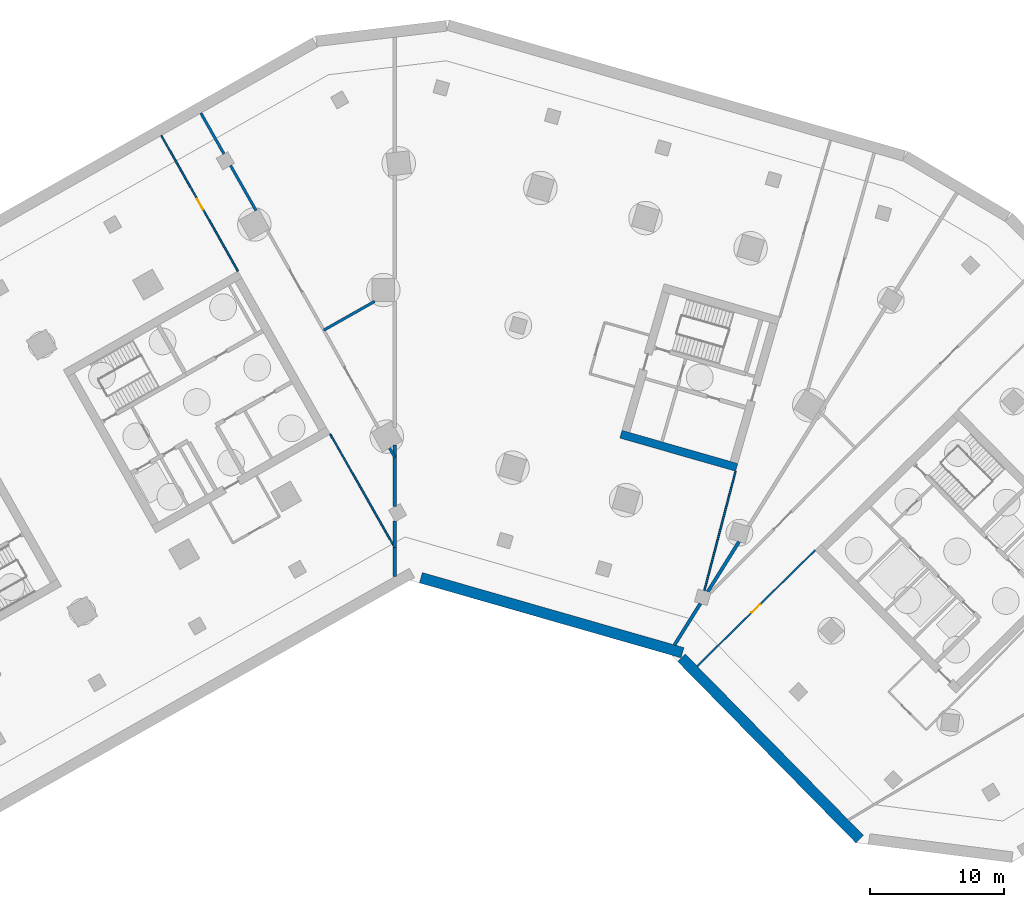
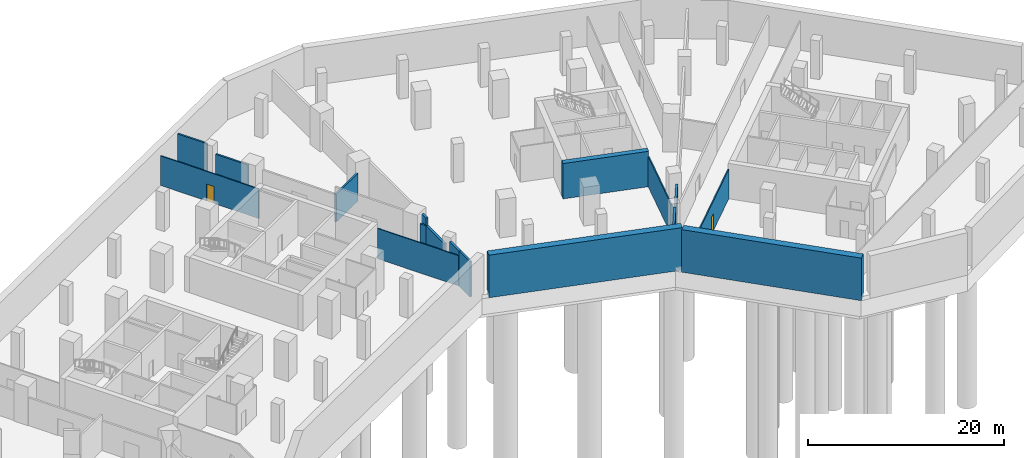
# One storey, part 5 of 11: 17 walls, 2 doors, 2 openings.
"""IFC4 building model written with IfcOpenShell, lengths in metres."""

from ifc_helpers import new_model, si_unit, direction, frame, frame_2d, origin, place, context, subcontext, project, spatial, rectangle, extrude, material, layer, layer_set, type_object, element, fill, save


model = new_model("IFC4")

# Units and contexts
model_context = context("Model", 3, precision=1e-05, world=origin(), true_north=direction((0.0, 1.0)))
body_context = subcontext(model_context, "Body", "Model", "MODEL_VIEW")
ifc_project = project(units=[si_unit("LENGTHUNIT", "METRE"), si_unit("AREAUNIT", "SQUARE_METRE"), si_unit("VOLUMEUNIT", "CUBIC_METRE"), si_unit("PLANEANGLEUNIT", "RADIAN"), si_unit("MASSUNIT", "GRAM", prefix="KILO")], contexts=[model_context])

# Site, building, storey
site_placement = place(None, origin())
site = spatial("IfcSite", under=ifc_project, at=site_placement, CompositionType="ELEMENT")
building_placement = place(site_placement, origin())
building = spatial("IfcBuilding", under=site, at=building_placement, Name="Binnacle Exchange Tower", CompositionType="ELEMENT")
storey_placement = place(building_placement, frame((0.0, 0.0, -9.60009765625)))
storey = spatial("IfcBuildingStorey", under=building, at=storey_placement, Name="B2", CompositionType="ELEMENT", Elevation=-9.60009765625)

# Walls
ifc_material_1 = material(Name="Concrete C40/50", Category="concrete")
ifc_layer_1 = layer(ifc_material_1, 0.800048828125)
ifc_layer_set_1 = layer_set([ifc_layer_1], Name="Basement retaining wall 800 Concrete C40/50")
wall_type_1 = type_object("IfcWallType", Name="Basement retaining wall 800 Concrete C40/50", PredefinedType="SOLIDWALL", material=ifc_layer_set_1)
wall_1_placement = place(storey_placement, frame((1.961181640625, 38.4912109375, -0.5), z_axis=(0.0, 0.0, 1.0), x_axis=(0.961261264877, -0.275638859104, 0.0)))
element("IfcWall", 1, at=wall_1_placement, inside=storey, type_object=wall_type_1, Name="S:RW:B2:09", PredefinedType="SOLIDWALL", context=body_context, shape_type="SweptSolid", body=[
    extrude(rectangle(XDim=20.3408203125, YDim=0.800048828125, at=frame_2d((10.17041015625, 0.0))), origin(), (0.0, 0.0, 1.0), 5.300048828125),
])
wall_2_placement = place(storey_placement, frame((21.432373046875, 32.5107421875, -0.5), z_axis=(0.0, 0.0, 1.0), x_axis=(0.700906850363, -0.713252821315, 0.0)))
element("IfcWall", 2, at=wall_2_placement, inside=storey, type_object=wall_type_1, Name="S:RW:B2:10", PredefinedType="SOLIDWALL", context=body_context, shape_type="SweptSolid", body=[
    extrude(rectangle(XDim=19.003662109375, YDim=0.800048828125, at=frame_2d((9.501953125, 0.0))), origin(), (0.0, 0.0, 1.0), 5.300048828125),
])
ifc_material_2 = material(Name="Concrete C70/85", Category="concrete")
ifc_layer_2 = layer(ifc_material_2, 0.60009765625)
ifc_layer_set_2 = layer_set([ifc_layer_2], Name="Core wall - outer 600")
wall_type_2 = type_object("IfcWallType", Name="Core wall - outer 600", PredefinedType="SOLIDWALL", material=ifc_layer_set_2)
wall_3_placement = place(storey_placement, frame((16.91064453125, 49.22119140625, 0.0), z_axis=(0.0, 0.0, 1.0), x_axis=(0.96126248289, -0.275634611374, 0.0)))
element("IfcWall", 3, at=wall_3_placement, inside=storey, type_object=wall_type_2, Name="Core wall CRWD1", PredefinedType="SOLIDWALL", context=body_context, shape_type="SweptSolid", body=[
    extrude(rectangle(XDim=9.0, YDim=0.60009765625, at=frame_2d((4.5, 0.0))), origin(), (0.0, 0.0, 1.0), 4.400146484375),
])
ifc_material_3 = material(Name="Masonry block wall", Category="masonry")
ifc_layer_3 = layer(ifc_material_3, 0.199951171875)
ifc_layer_set_3 = layer_set([ifc_layer_3], Name="Fire wall - block 200")
wall_type_3 = type_object("IfcWallType", Name="Fire wall - block 200", PredefinedType="PARTITIONING", material=ifc_layer_set_3)
wall_4_placement = place(storey_placement, frame((-14.489990234375, 73.22412109375, 0.0), z_axis=(0.0, 0.0, 1.0), x_axis=(0.492785561685, -0.870150785896, 0.0)))
element("IfcWall", 4, at=wall_4_placement, inside=storey, type_object=wall_type_3, Name="Partition W16", PredefinedType="PARTITIONING", context=body_context, shape_type="SweptSolid", body=[
    extrude(rectangle(XDim=3.500732421875, YDim=0.199951171875, at=frame_2d((1.75048828125, 0.0))), origin(), (0.0, 0.0, 1.0), 4.400146484375),
])
wall_5_placement = place(storey_placement, frame((-12.27197265625, 69.30810546875, 0.0), z_axis=(0.0, 0.0, 1.0), x_axis=(0.492928006212, -0.870070101022, 0.0)))
element("IfcWall", 5, at=wall_5_placement, inside=storey, type_object=wall_type_3, Name="Partition W18", PredefinedType="PARTITIONING", context=body_context, shape_type="SweptSolid", body=[
    extrude(rectangle(XDim=3.86083984375, YDim=0.199951171875, at=frame_2d((1.930419921875, 0.0))), origin(), (0.0, 0.0, 1.0), 3.462158203125),
])
wall_6_placement = place(storey_placement, frame((-5.301025390625, 57.0009765625, 0.0), z_axis=(0.0, 0.0, 1.0), x_axis=(0.870403402545, 0.492339229433, 0.0)))
element("IfcWall", 6, at=wall_6_placement, inside=storey, type_object=wall_type_3, Name="Partition W22", PredefinedType="PARTITIONING", context=body_context, shape_type="SweptSolid", body=[
    extrude(rectangle(XDim=4.36474609375, YDim=0.199951171875, at=frame_2d((2.182373046875, 0.0))), origin(), (0.0, 0.0, 1.0), 3.462158203125),
])
wall_7_placement = place(storey_placement, frame((-0.383056640625, 48.18603515625, 0.0), z_axis=(0.0, 0.0, 1.0), x_axis=(0.487514911941, -0.873114660646, 0.0)))
element("IfcWall", 7, at=wall_7_placement, inside=storey, type_object=wall_type_3, Name="Partition W25", PredefinedType="PARTITIONING", context=body_context, shape_type="SweptSolid", body=[
    extrude(rectangle(XDim=0.78564453125, YDim=0.199951171875, at=frame_2d((0.392822265625, 0.0))), origin(), (0.0, 0.0, 1.0), 3.462158203125),
])
ifc_material_4 = material(Name="Concrete fire wall C30/37", Category="concrete")
ifc_layer_4 = layer(ifc_material_4, 0.25)
ifc_layer_set_4 = layer_set([ifc_layer_4], Name="Fire wall - compartment 250")
wall_type_4 = type_object("IfcWallType", Name="Fire wall - compartment 250", PredefinedType="PARTITIONING", material=ifc_layer_set_4)
wall_8_placement = place(storey_placement, frame((0.0, 38.5791015625, 0.0), z_axis=(0.0, 0.0, 1.0), x_axis=(0.0, 1.0, 0.0)))
element("IfcWall", 8, at=wall_8_placement, inside=storey, type_object=wall_type_4, Name="Fire Wall W26", PredefinedType="PARTITIONING", context=body_context, shape_type="SweptSolid", body=[
    extrude(rectangle(XDim=2.1708984375, YDim=0.25, at=frame_2d((1.08544921875, 0.0))), origin(), (0.0, 0.0, 1.0), 4.400146484375),
])
wall_9_placement = place(storey_placement, frame((0.0, 40.75, 0.0), z_axis=(0.0, 0.0, 1.0), x_axis=(0.0, 1.0, 0.0)))
element("IfcWall", 9, at=wall_9_placement, inside=storey, type_object=wall_type_4, Name="Fire Wall W27", PredefinedType="PARTITIONING", context=body_context, shape_type="SweptSolid", body=[
    extrude(rectangle(XDim=1.97705078125, YDim=0.25, at=frame_2d((0.988525390625, 0.0))), origin(), (0.0, 0.0, 1.0), 4.400146484375),
])
wall_10_placement = place(storey_placement, frame((0.0, 43.805908203125, 0.0), z_axis=(0.0, 0.0, 1.0), x_axis=(0.0, 1.0, 0.0)))
element("IfcWall", 10, at=wall_10_placement, inside=storey, type_object=wall_type_4, Name="Fire Wall W28", PredefinedType="PARTITIONING", context=body_context, shape_type="SweptSolid", body=[
    extrude(rectangle(XDim=3.694091796875, YDim=0.25, at=frame_2d((1.84716796875, 0.0))), origin(), (0.0, 0.0, 1.0), 3.462158203125),
])
wall_11_placement = place(storey_placement, frame((0.0, 47.5, 0.0), z_axis=(0.0, 0.0, 1.0), x_axis=(0.0, 1.0, 0.0)))
element("IfcWall", 11, at=wall_11_placement, inside=storey, type_object=wall_type_4, Name="Fire Wall W29", PredefinedType="PARTITIONING", context=body_context, shape_type="SweptSolid", body=[
    extrude(rectangle(XDim=0.902099609375, YDim=0.25, at=frame_2d((0.451171875, 0.0))), origin(), (0.0, 0.0, 1.0), 4.400146484375),
])
wall_12_placement = place(storey_placement, frame((20.916015625, 33.471923828125, 0.0), z_axis=(0.0, 0.0, 1.0), x_axis=(0.529775918086, 0.848137651927, 0.0)))
element("IfcWall", 12, at=wall_12_placement, inside=storey, type_object=wall_type_4, Name="Fire Wall W36", PredefinedType="PARTITIONING", context=body_context, shape_type="SweptSolid", body=[
    extrude(rectangle(XDim=3.64111328125, YDim=0.25, at=frame_2d((1.820556640625, 0.0))), origin(), (0.0, 0.0, 1.0), 4.400146484375),
])
wall_13_placement = place(storey_placement, frame((23.39599609375, 37.44189453125, 0.0), z_axis=(0.0, 0.0, 1.0), x_axis=(0.529879823435, 0.848072740227, 0.0)))
element("IfcWall", 13, at=wall_13_placement, inside=storey, type_object=wall_type_4, Name="Fire Wall W39", PredefinedType="PARTITIONING", context=body_context, shape_type="SweptSolid", body=[
    extrude(rectangle(XDim=4.421875, YDim=0.25, at=frame_2d((2.2109375, 0.0))), origin(), (0.0, 0.0, 1.0), 3.462158203125),
])

# Wall, opening, door
ifc_material_5 = material(Name="Gypsum partition")
ifc_layer_5 = layer(ifc_material_5, 0.125)
ifc_layer_set_5 = layer_set([ifc_layer_5], Name="Partition 125")
wall_type_5 = type_object("IfcWallType", Name="Partition 125", PredefinedType="PARTITIONING", material=ifc_layer_set_5)
wall_14_placement = place(storey_placement, frame((-17.448974609375, 71.549072265625, 0.0), z_axis=(0.0, 0.0, 1.0), x_axis=(0.492408863594, -0.870364010661, 0.0)))
wall_14 = element("IfcWall", 14, at=wall_14_placement, inside=storey, type_object=wall_type_5, Name="Partition W15", PredefinedType="PARTITIONING", context=body_context, shape_type="SweptSolid", body=[
    extrude(rectangle(XDim=11.64453125, YDim=0.125, at=frame_2d((5.822265625, 0.0))), origin(), (0.0, 0.0, 1.0), 3.68017578125),
])
opening_1_placement = place(wall_14_placement, frame((5.449951171875, 0.0, 0.0)))
opening_1 = element("IfcOpeningElement", 15, at=opening_1_placement, cuts=wall_14, Name="Opening DB2-06", PredefinedType="OPENING", context=body_context, shape_type="SweptSolid", body=[
    extrude(rectangle(XDim=0.89990234375, YDim=2.10009765625, at=frame_2d((0.449951171875, 1.050048828125))), frame((0.0, 0.072509765625, 0.0), z_axis=(0.0, -1.0, 0.0), x_axis=(1.0, 0.0, 0.0)), (0.0, 0.0, 1.0), 0.14501953125),
])
ifc_material_6 = material(Name="Timber door leaf", Category="wood")
door_type = type_object("IfcDoorType", Name="Door 900", OperationType="NOTDEFINED", PredefinedType="DOOR", material=ifc_material_6)
door_1_placement = place(opening_1_placement, origin())
door_1 = element("IfcDoor", 16, at=door_1_placement, inside=storey, type_object=door_type, Name="Door DB2-06", OperationType="SINGLE_SWING_RIGHT", OverallHeight=2.10009765625, OverallWidth=0.89990234375, PredefinedType="DOOR", context=body_context, shape_type="SweptSolid", body=[
    extrude(rectangle(XDim=0.89990234375, YDim=2.10009765625, at=frame_2d((0.449951171875, 1.050048828125))), frame((0.0, 0.02490234375, 0.0), z_axis=(0.0, -1.0, 0.0), x_axis=(1.0, 0.0, 0.0)), (0.0, 0.0, 1.0), 0.050048828125),
])
fill(opening_1, door_1)

# Wall
wall_15_placement = place(storey_placement, frame((-4.821044921875, 49.22998046875, 0.0), z_axis=(0.0, 0.0, 1.0), x_axis=(0.494232133704, -0.869329970733, 0.0)))
element("IfcWall", 17, at=wall_15_placement, inside=storey, type_object=wall_type_5, Name="Partition W24", PredefinedType="PARTITIONING", context=body_context, shape_type="SweptSolid", body=[
    extrude(rectangle(XDim=9.754638671875, YDim=0.125, at=frame_2d((4.87744140625, 0.0))), origin(), (0.0, 0.0, 1.0), 3.76806640625),
])

# Wall, opening, door
wall_16_placement = place(storey_placement, frame((22.610107421875, 31.884033203125, 0.0), z_axis=(0.0, 0.0, 1.0), x_axis=(0.71329764845, 0.700861230712, 0.0)))
wall_16 = element("IfcWall", 18, at=wall_16_placement, inside=storey, type_object=wall_type_5, Name="Partition W37", PredefinedType="PARTITIONING", context=body_context, shape_type="SweptSolid", body=[
    extrude(rectangle(XDim=12.36767578125, YDim=0.125, at=frame_2d((6.183837890625, 0.0))), origin(), (0.0, 0.0, 1.0), 3.68017578125),
])
opening_2_placement = place(wall_16_placement, frame((5.699951171875, 0.0, 0.0)))
opening_2 = element("IfcOpeningElement", 19, at=opening_2_placement, cuts=wall_16, Name="Opening DB2-13", PredefinedType="OPENING", context=body_context, shape_type="SweptSolid", body=[
    extrude(rectangle(XDim=0.89990234375, YDim=2.10009765625, at=frame_2d((0.449951171875, 1.050048828125))), frame((0.0, 0.072509765625, 0.0), z_axis=(0.0, -1.0, 0.0), x_axis=(1.0, 0.0, 0.0)), (0.0, 0.0, 1.0), 0.14501953125),
])
door_2_placement = place(opening_2_placement, origin())
door_2 = element("IfcDoor", 20, at=door_2_placement, inside=storey, type_object=door_type, Name="Door DB2-13", OperationType="SINGLE_SWING_LEFT", OverallHeight=2.10009765625, OverallWidth=0.89990234375, PredefinedType="DOOR", context=body_context, shape_type="SweptSolid", body=[
    extrude(rectangle(XDim=0.89990234375, YDim=2.10009765625, at=frame_2d((0.449951171875, 1.050048828125))), frame((0.0, 0.02490234375, 0.0), z_axis=(0.0, -1.0, 0.0), x_axis=(1.0, 0.0, 0.0)), (0.0, 0.0, 1.0), 0.050048828125),
])
fill(opening_2, door_2)

# Wall
wall_17_placement = place(storey_placement, frame((23.138916015625, 37.51611328125, 0.0), z_axis=(0.0, 0.0, 1.0), x_axis=(0.253335246865, 0.967378546741, 0.0)))
element("IfcWall", 21, at=wall_17_placement, inside=storey, type_object=wall_type_5, Name="Partition W38", PredefinedType="PARTITIONING", context=body_context, shape_type="SweptSolid", body=[
    extrude(rectangle(XDim=9.237060546875, YDim=0.125, at=frame_2d((4.61865234375, 0.0))), origin(), (0.0, 0.0, 1.0), 3.76806640625),
])

save(model, "model.ifc")
